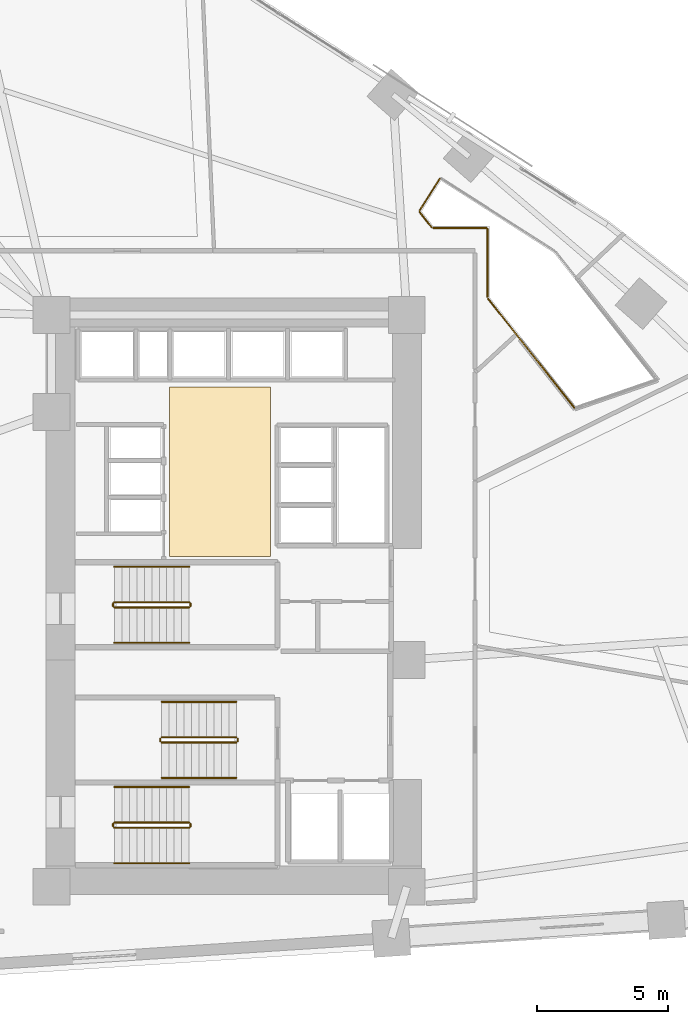
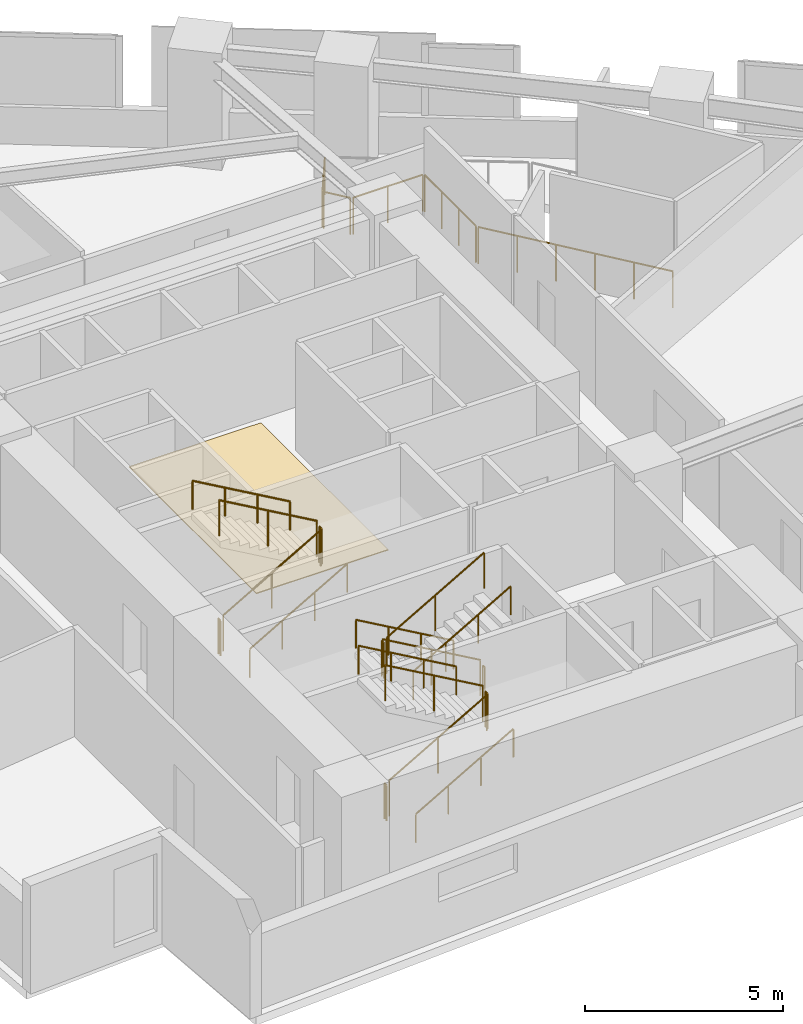
# One storey, part 14 of 15: 23 railings, 1 covering.
"""IFC4 building model written with IfcOpenShell, lengths in metres."""

from ifc_helpers import new_model, si_unit, direction, frame, origin, origin_2d, place, context, subcontext, project, spatial, polyline, circle, outline, extrude, material, layer, layer_set, type_object, element, save


model = new_model("IFC4")

# Units and contexts
model_context = context("Model", 3, precision=1e-05, world=origin(), true_north=direction((0.0, 1.0)))
body_context = subcontext(model_context, "Body", "Model", "MODEL_VIEW")
ifc_project = project(units=[si_unit("LENGTHUNIT", "METRE"), si_unit("AREAUNIT", "SQUARE_METRE"), si_unit("VOLUMEUNIT", "CUBIC_METRE"), si_unit("PLANEANGLEUNIT", "RADIAN"), si_unit("MASSUNIT", "GRAM", prefix="KILO")], contexts=[model_context])

# Site, building, storey
site_placement = place(None, origin())
site = spatial("IfcSite", under=ifc_project, at=site_placement, CompositionType="ELEMENT")
building_placement = place(site_placement, origin())
building = spatial("IfcBuilding", under=site, at=building_placement, Name="Narakoshi Arena Tower", CompositionType="ELEMENT")
storey_placement = place(building_placement, frame((0.0, 0.0, 74.10009765625)))
storey = spatial("IfcBuildingStorey", under=building, at=storey_placement, Name="L19", CompositionType="ELEMENT", Elevation=74.10009765625)

# Covering
ifc_material_1 = material(Name="Honed granite stone paving", Category="masonry")
ifc_layer = layer(ifc_material_1, 0.030029296875)
ifc_layer_set = layer_set([ifc_layer], Name="Honed granite stone paving")
covering_type = type_object("IfcCoveringType", Name="COV-FLR-ST30", PredefinedType="FLOORING", material=ifc_layer_set)
covering_placement = place(storey_placement, origin())
element("IfcCovering", 1, at=covering_placement, inside=storey, type_object=covering_type, Name="L19 Lift Lobby Granite Flooring", PredefinedType="FLOORING", context=body_context, shape_type="SweptSolid", body=[
    extrude(outline(polyline([(76.5, 47.300048828125), (80.35009765625, 47.300048828125), (80.35009765625, 53.75), (76.5, 53.75), (76.5, 47.300048828125)])), origin(), (0.0, 0.0, 1.0), 0.02978515625),
])

# Railings
ifc_material_2 = material(Name="Clear low-iron laminated structural glass", Category="glass")
railing_type_1 = type_object("IfcRailingType", Name="RL-BAL-1100", PredefinedType="BALUSTRADE", material=ifc_material_2)
railing_1_placement = place(storey_placement, frame((74.39990234375, 36.949951171875, 0.16357421875)))
element("IfcRailing", 2, at=railing_1_placement, inside=storey, type_object=railing_type_1, Name="L19 ST1 stair guard 1", PredefinedType="BALUSTRADE", context=body_context, shape_type="SweptSolid", body=[
    extrude(circle(Radius=0.02392578125, at=origin_2d()), frame((0.0, 0.0, 1.09619140625), z_axis=(0.867244780686, 0.0, 0.497882004468), x_axis=(0.0, 1.0, 0.0)), (0.0, 0.0, 1.0), 3.286376953125),
    extrude(circle(Radius=0.02099609375, at=origin_2d()), origin(), (0.0, 0.0, 1.0), 1.072021484375),
    extrude(circle(Radius=0.02099609375, at=origin_2d()), frame((1.425048828125, 0.0, 0.818115234375)), (0.0, 0.0, 1.0), 1.072021484375),
    extrude(circle(Radius=0.02099609375, at=origin_2d()), frame((2.85009765625, 0.0, 1.63623046875)), (0.0, 0.0, 1.0), 1.072021484375),
])
railing_2_placement = place(storey_placement, frame((77.300048828125, 37.0, 1.7998046875)))
element("IfcRailing", 3, at=railing_2_placement, inside=storey, type_object=railing_type_1, Name="L19 ST1 stair guard 2", PredefinedType="BALUSTRADE", context=body_context, shape_type="SweptSolid", body=[
    extrude(circle(Radius=0.02392578125, at=origin_2d()), frame((0.0, 0.0, 1.09619140625), z_axis=(0.0, 1.0, 0.0), x_axis=(-1.0, 0.0, 0.0)), (0.0, 0.0, 1.0), 0.10009765625),
    extrude(circle(Radius=0.02099609375, at=origin_2d()), origin(), (0.0, 0.0, 1.0), 1.072021484375),
    extrude(circle(Radius=0.02099609375, at=origin_2d()), frame((0.0, 0.10009765625, 0.0)), (0.0, 0.0, 1.0), 1.072021484375),
])
railing_3_placement = place(storey_placement, frame((77.25, 37.14990234375, 1.963623046875)))
element("IfcRailing", 4, at=railing_3_placement, inside=storey, type_object=railing_type_1, Name="L19 ST1 stair guard 3", PredefinedType="BALUSTRADE", context=body_context, shape_type="SweptSolid", body=[
    extrude(circle(Radius=0.02392578125, at=origin_2d()), frame((0.0, 0.0, 1.09619140625), z_axis=(-0.867244780686, 0.0, 0.497882004468), x_axis=(0.0, -1.0, 0.0)), (0.0, 0.0, 1.0), 3.286376953125),
    extrude(circle(Radius=0.02099609375, at=origin_2d()), origin(), (0.0, 0.0, 1.0), 1.072021484375),
    extrude(circle(Radius=0.02099609375, at=origin_2d()), frame((-1.425048828125, 0.0, 0.818115234375)), (0.0, 0.0, 1.0), 1.072021484375),
    extrude(circle(Radius=0.02099609375, at=origin_2d()), frame((-2.85009765625, 0.0, 1.63623046875)), (0.0, 0.0, 1.0), 1.072021484375),
])
railing_4_placement = place(storey_placement, frame((74.35009765625, 37.0, 0.0)))
element("IfcRailing", 5, at=railing_4_placement, inside=storey, type_object=railing_type_1, Name="L19 ST1 stair guard 4", PredefinedType="BALUSTRADE", context=body_context, shape_type="SweptSolid", body=[
    extrude(circle(Radius=0.02392578125, at=origin_2d()), frame((0.0, 0.0, 1.09619140625), z_axis=(0.0, 1.0, 0.0), x_axis=(-1.0, 0.0, 0.0)), (0.0, 0.0, 1.0), 0.10009765625),
    extrude(circle(Radius=0.02099609375, at=origin_2d()), origin(), (0.0, 0.0, 1.0), 1.072021484375),
    extrude(circle(Radius=0.02099609375, at=origin_2d()), frame((0.0, 0.10009765625, 0.0)), (0.0, 0.0, 1.0), 1.072021484375),
])
railing_5_placement = place(storey_placement, frame((79.050048828125, 40.39990234375, 0.16357421875)))
element("IfcRailing", 6, at=railing_5_placement, inside=storey, type_object=railing_type_1, Name="L19 ST2 stair guard 1", PredefinedType="BALUSTRADE", context=body_context, shape_type="SweptSolid", body=[
    extrude(circle(Radius=0.02392578125, at=origin_2d()), frame((0.0, 0.0, 1.09619140625), z_axis=(-0.867244780686, 0.0, 0.497882004468), x_axis=(0.0, -1.0, 0.0)), (0.0, 0.0, 1.0), 3.286376953125),
    extrude(circle(Radius=0.02099609375, at=origin_2d()), origin(), (0.0, 0.0, 1.0), 1.072021484375),
    extrude(circle(Radius=0.02099609375, at=origin_2d()), frame((-1.425048828125, 0.0, 0.818115234375)), (0.0, 0.0, 1.0), 1.072021484375),
    extrude(circle(Radius=0.02099609375, at=origin_2d()), frame((-2.85009765625, 0.0, 1.63623046875)), (0.0, 0.0, 1.0), 1.072021484375),
])
railing_6_placement = place(storey_placement, frame((76.14990234375, 40.35009765625, 1.7998046875)))
element("IfcRailing", 7, at=railing_6_placement, inside=storey, type_object=railing_type_1, Name="L19 ST2 stair guard 2", PredefinedType="BALUSTRADE", context=body_context, shape_type="SweptSolid", body=[
    extrude(circle(Radius=0.02392578125, at=origin_2d()), frame((0.0, 0.0, 1.09619140625), z_axis=(0.0, -1.0, 0.0), x_axis=(1.0, 0.0, 0.0)), (0.0, 0.0, 1.0), 0.10009765625),
    extrude(circle(Radius=0.02099609375, at=origin_2d()), origin(), (0.0, 0.0, 1.0), 1.072021484375),
    extrude(circle(Radius=0.02099609375, at=origin_2d()), frame((0.0, -0.10009765625, 0.0)), (0.0, 0.0, 1.0), 1.072021484375),
])
railing_7_placement = place(storey_placement, frame((76.199951171875, 40.199951171875, 1.963623046875)))
element("IfcRailing", 8, at=railing_7_placement, inside=storey, type_object=railing_type_1, Name="L19 ST2 stair guard 3", PredefinedType="BALUSTRADE", context=body_context, shape_type="SweptSolid", body=[
    extrude(circle(Radius=0.02392578125, at=origin_2d()), frame((0.0, 0.0, 1.09619140625), z_axis=(0.867244780686, 0.0, 0.497882004468), x_axis=(0.0, 1.0, 0.0)), (0.0, 0.0, 1.0), 3.286376953125),
    extrude(circle(Radius=0.02099609375, at=origin_2d()), origin(), (0.0, 0.0, 1.0), 1.072021484375),
    extrude(circle(Radius=0.02099609375, at=origin_2d()), frame((1.425048828125, 0.0, 0.818115234375)), (0.0, 0.0, 1.0), 1.072021484375),
    extrude(circle(Radius=0.02099609375, at=origin_2d()), frame((2.85009765625, 0.0, 1.63623046875)), (0.0, 0.0, 1.0), 1.072021484375),
])
railing_8_placement = place(storey_placement, frame((79.10009765625, 40.35009765625, 0.0)))
element("IfcRailing", 9, at=railing_8_placement, inside=storey, type_object=railing_type_1, Name="L19 ST2 stair guard 4", PredefinedType="BALUSTRADE", context=body_context, shape_type="SweptSolid", body=[
    extrude(circle(Radius=0.02392578125, at=origin_2d()), frame((0.0, 0.0, 1.09619140625), z_axis=(0.0, -1.0, 0.0), x_axis=(1.0, 0.0, 0.0)), (0.0, 0.0, 1.0), 0.10009765625),
    extrude(circle(Radius=0.02099609375, at=origin_2d()), origin(), (0.0, 0.0, 1.0), 1.072021484375),
    extrude(circle(Radius=0.02099609375, at=origin_2d()), frame((0.0, -0.10009765625, 0.0)), (0.0, 0.0, 1.0), 1.072021484375),
])
railing_9_placement = place(storey_placement, frame((74.39990234375, 45.35009765625, 0.16357421875)))
element("IfcRailing", 10, at=railing_9_placement, inside=storey, type_object=railing_type_1, Name="L19 ST3 stair guard 1", PredefinedType="BALUSTRADE", context=body_context, shape_type="SweptSolid", body=[
    extrude(circle(Radius=0.02392578125, at=origin_2d()), frame((0.0, 0.0, 1.09619140625), z_axis=(0.867244780686, 0.0, 0.497882004468), x_axis=(0.0, 1.0, 0.0)), (0.0, 0.0, 1.0), 3.286376953125),
    extrude(circle(Radius=0.02099609375, at=origin_2d()), origin(), (0.0, 0.0, 1.0), 1.072021484375),
    extrude(circle(Radius=0.02099609375, at=origin_2d()), frame((1.425048828125, 0.0, 0.818115234375)), (0.0, 0.0, 1.0), 1.072021484375),
    extrude(circle(Radius=0.02099609375, at=origin_2d()), frame((2.85009765625, 0.0, 1.63623046875)), (0.0, 0.0, 1.0), 1.072021484375),
])
railing_10_placement = place(storey_placement, frame((77.300048828125, 45.39990234375, 1.7998046875)))
element("IfcRailing", 11, at=railing_10_placement, inside=storey, type_object=railing_type_1, Name="L19 ST3 stair guard 2", PredefinedType="BALUSTRADE", context=body_context, shape_type="SweptSolid", body=[
    extrude(circle(Radius=0.02392578125, at=origin_2d()), frame((0.0, 0.0, 1.09619140625), z_axis=(0.0, 1.0, 0.0), x_axis=(-1.0, 0.0, 0.0)), (0.0, 0.0, 1.0), 0.10009765625),
    extrude(circle(Radius=0.02099609375, at=origin_2d()), origin(), (0.0, 0.0, 1.0), 1.072021484375),
    extrude(circle(Radius=0.02099609375, at=origin_2d()), frame((0.0, 0.10009765625, 0.0)), (0.0, 0.0, 1.0), 1.072021484375),
])
railing_11_placement = place(storey_placement, frame((77.25, 45.550048828125, 1.963623046875)))
element("IfcRailing", 12, at=railing_11_placement, inside=storey, type_object=railing_type_1, Name="L19 ST3 stair guard 3", PredefinedType="BALUSTRADE", context=body_context, shape_type="SweptSolid", body=[
    extrude(circle(Radius=0.02392578125, at=origin_2d()), frame((0.0, 0.0, 1.09619140625), z_axis=(-0.867244780686, 0.0, 0.497882004468), x_axis=(0.0, -1.0, 0.0)), (0.0, 0.0, 1.0), 3.286376953125),
    extrude(circle(Radius=0.02099609375, at=origin_2d()), origin(), (0.0, 0.0, 1.0), 1.072021484375),
    extrude(circle(Radius=0.02099609375, at=origin_2d()), frame((-1.425048828125, 0.0, 0.818115234375)), (0.0, 0.0, 1.0), 1.072021484375),
    extrude(circle(Radius=0.02099609375, at=origin_2d()), frame((-2.85009765625, 0.0, 1.63623046875)), (0.0, 0.0, 1.0), 1.072021484375),
])
railing_12_placement = place(storey_placement, frame((74.35009765625, 45.39990234375, 0.0)))
element("IfcRailing", 13, at=railing_12_placement, inside=storey, type_object=railing_type_1, Name="L19 ST3 stair guard 4", PredefinedType="BALUSTRADE", context=body_context, shape_type="SweptSolid", body=[
    extrude(circle(Radius=0.02392578125, at=origin_2d()), frame((0.0, 0.0, 1.09619140625), z_axis=(0.0, 1.0, 0.0), x_axis=(-1.0, 0.0, 0.0)), (0.0, 0.0, 1.0), 0.10009765625),
    extrude(circle(Radius=0.02099609375, at=origin_2d()), origin(), (0.0, 0.0, 1.0), 1.072021484375),
    extrude(circle(Radius=0.02099609375, at=origin_2d()), frame((0.0, 0.10009765625, 0.0)), (0.0, 0.0, 1.0), 1.072021484375),
])
ifc_material_3 = material(Name="Brushed bronze stainless steel", Category="steel")
railing_type_2 = type_object("IfcRailingType", Name="RL-GRD-1150", PredefinedType="GUARDRAIL", material=ifc_material_3)
railing_13_placement = place(storey_placement, frame((91.93212890625, 52.966064453125, 0.0)))
element("IfcRailing", 14, at=railing_13_placement, inside=storey, type_object=railing_type_2, Name="L19 Sky-Garden Atrium Void Guardrail 1", PredefinedType="GUARDRAIL", context=body_context, shape_type="SweptSolid", body=[
    extrude(circle(Radius=0.02392578125, at=origin_2d()), frame((0.0, 0.0, 1.1259765625), z_axis=(-0.620443259302, 0.784251338531, 0.0), x_axis=(-0.784251338531, -0.620443259302, 0.0)), (0.0, 0.0, 1.0), 5.29833984375),
    extrude(circle(Radius=0.02099609375, at=origin_2d()), origin(), (0.0, 0.0, 1.0), 1.101806640625),
    extrude(circle(Radius=0.02099609375, at=origin_2d()), frame((-0.657470703125, 0.8310546875, 0.0)), (0.0, 0.0, 1.0), 1.101806640625),
    extrude(circle(Radius=0.02099609375, at=origin_2d()), frame((-1.31494140625, 1.662109375, 0.0)), (0.0, 0.0, 1.0), 1.101806640625),
    extrude(circle(Radius=0.02099609375, at=origin_2d()), frame((-1.972412109375, 2.4931640625, 0.0)), (0.0, 0.0, 1.0), 1.101806640625),
    extrude(circle(Radius=0.02099609375, at=origin_2d()), frame((-2.6298828125, 3.32421875, 0.0)), (0.0, 0.0, 1.0), 1.101806640625),
    extrude(circle(Radius=0.02099609375, at=origin_2d()), frame((-3.287353515625, 4.1552734375, 0.0)), (0.0, 0.0, 1.0), 1.101806640625),
])
railing_14_placement = place(storey_placement, frame((88.6201171875, 57.19287109375, 0.0)))
element("IfcRailing", 15, at=railing_14_placement, inside=storey, type_object=railing_type_2, Name="L19 Sky-Garden Atrium Void Guardrail 2", PredefinedType="GUARDRAIL", context=body_context, shape_type="SweptSolid", body=[
    extrude(circle(Radius=0.02392578125, at=origin_2d()), frame((0.0, 0.0, 1.1259765625), z_axis=(0.0, 1.0, 0.0), x_axis=(-1.0, 0.0, 0.0)), (0.0, 0.0, 1.0), 2.587158203125),
    extrude(circle(Radius=0.02099609375, at=origin_2d()), origin(), (0.0, 0.0, 1.0), 1.101806640625),
    extrude(circle(Radius=0.02099609375, at=origin_2d()), frame((0.0, 0.8623046875, 0.0)), (0.0, 0.0, 1.0), 1.101806640625),
    extrude(circle(Radius=0.02099609375, at=origin_2d()), frame((0.0, 1.724853515625, 0.0)), (0.0, 0.0, 1.0), 1.101806640625),
    extrude(circle(Radius=0.02099609375, at=origin_2d()), frame((0.0, 2.587158203125, 0.0)), (0.0, 0.0, 1.0), 1.101806640625),
])
railing_15_placement = place(storey_placement, frame((88.580078125, 59.820068359375, 0.0)))
element("IfcRailing", 16, at=railing_15_placement, inside=storey, type_object=railing_type_2, Name="L19 Sky-Garden Atrium Void Guardrail 3", PredefinedType="GUARDRAIL", context=body_context, shape_type="SweptSolid", body=[
    extrude(circle(Radius=0.02392578125, at=origin_2d()), frame((0.0, 0.0, 1.1259765625), z_axis=(-1.0, 0.0, 0.0), x_axis=(0.0, -1.0, 0.0)), (0.0, 0.0, 1.0), 2.030029296875),
    extrude(circle(Radius=0.02099609375, at=origin_2d()), origin(), (0.0, 0.0, 1.0), 1.101806640625),
    extrude(circle(Radius=0.02099609375, at=origin_2d()), frame((-1.01513671875, 0.0, 0.0)), (0.0, 0.0, 1.0), 1.101806640625),
    extrude(circle(Radius=0.02099609375, at=origin_2d()), frame((-2.030029296875, 0.0, 0.0)), (0.0, 0.0, 1.0), 1.101806640625),
])
railing_16_placement = place(storey_placement, frame((86.4853515625, 59.851318359375, 0.0)))
element("IfcRailing", 17, at=railing_16_placement, inside=storey, type_object=railing_type_2, Name="L19 Sky-Garden Atrium Void Guardrail 4", PredefinedType="GUARDRAIL", context=body_context, shape_type="SweptSolid", body=[
    extrude(circle(Radius=0.02392578125, at=origin_2d()), frame((0.0, 0.0, 1.1259765625), z_axis=(-0.620502843677, 0.784204195977, 0.0), x_axis=(-0.784204195977, -0.620502843677, 0.0)), (0.0, 0.0, 1.0), 0.71875),
    extrude(circle(Radius=0.02099609375, at=origin_2d()), origin(), (0.0, 0.0, 1.0), 1.101806640625),
    extrude(circle(Radius=0.02099609375, at=origin_2d()), frame((-0.446044921875, 0.563720703125, 0.0)), (0.0, 0.0, 1.0), 1.101806640625),
])
railing_17_placement = place(storey_placement, frame((86.035888671875, 60.480224609375, 0.0)))
element("IfcRailing", 18, at=railing_17_placement, inside=storey, type_object=railing_type_2, Name="L19 Sky-Garden Atrium Void Guardrail 5", PredefinedType="GUARDRAIL", context=body_context, shape_type="SweptSolid", body=[
    extrude(circle(Radius=0.02392578125, at=origin_2d()), frame((0.0, 0.0, 1.1259765625), z_axis=(0.535757095837, 0.844372153887, 0.0), x_axis=(-0.844372153887, 0.535757095837, 0.0)), (0.0, 0.0, 1.0), 1.44140625),
    extrude(circle(Radius=0.02099609375, at=origin_2d()), origin(), (0.0, 0.0, 1.0), 1.101806640625),
    extrude(circle(Radius=0.02099609375, at=origin_2d()), frame((0.38623046875, 0.6083984375, 0.0)), (0.0, 0.0, 1.0), 1.101806640625),
    extrude(circle(Radius=0.02099609375, at=origin_2d()), frame((0.772216796875, 1.217041015625, 0.0)), (0.0, 0.0, 1.0), 1.101806640625),
])
railing_type_3 = type_object("IfcRailingType", Name="RL-HND-900", PredefinedType="HANDRAIL", material=ifc_material_3)
railing_18_placement = place(storey_placement, frame((74.39990234375, 35.60009765625, 0.16357421875)))
element("IfcRailing", 19, at=railing_18_placement, inside=storey, type_object=railing_type_3, Name="L19 ST1 stair handrail 1", PredefinedType="HANDRAIL", context=body_context, shape_type="SweptSolid", body=[
    extrude(circle(Radius=0.02392578125, at=origin_2d()), frame((0.0, 0.0, 0.8759765625), z_axis=(0.867244780686, 0.0, 0.497882004468), x_axis=(0.0, 1.0, 0.0)), (0.0, 0.0, 1.0), 3.286376953125),
    extrude(circle(Radius=0.02099609375, at=origin_2d()), origin(), (0.0, 0.0, 1.0), 0.851806640625),
    extrude(circle(Radius=0.02099609375, at=origin_2d()), frame((0.949951171875, 0.0, 0.54541015625)), (0.0, 0.0, 1.0), 0.851806640625),
    extrude(circle(Radius=0.02099609375, at=origin_2d()), frame((1.900146484375, 0.0, 1.0908203125)), (0.0, 0.0, 1.0), 0.851806640625),
    extrude(circle(Radius=0.02099609375, at=origin_2d()), frame((2.85009765625, 0.0, 1.63623046875)), (0.0, 0.0, 1.0), 0.851806640625),
])
for number, where, name in (
    (20, (77.25, 38.5, 1.963623046875), "L19 ST1 stair handrail 2"),
    (21, (79.050048828125, 41.75, 0.16357421875), "L19 ST2 stair handrail 1"),
):
    element("IfcRailing", number, at=place(storey_placement, frame(where)), inside=storey, type_object=railing_type_3, Name=name, PredefinedType="HANDRAIL", context=body_context, shape_type="SweptSolid", body=[
        extrude(circle(Radius=0.02392578125, at=origin_2d()), frame((0.0, 0.0, 0.8759765625), z_axis=(-0.867244780686, 0.0, 0.497882004468), x_axis=(0.0, -1.0, 0.0)), (0.0, 0.0, 1.0), 3.286376953125),
        extrude(circle(Radius=0.02099609375, at=origin_2d()), origin(), (0.0, 0.0, 1.0), 0.851806640625),
        extrude(circle(Radius=0.02099609375, at=origin_2d()), frame((-0.949951171875, 0.0, 0.54541015625)), (0.0, 0.0, 1.0), 0.851806640625),
        extrude(circle(Radius=0.02099609375, at=origin_2d()), frame((-1.900146484375, 0.0, 1.0908203125)), (0.0, 0.0, 1.0), 0.851806640625),
        extrude(circle(Radius=0.02099609375, at=origin_2d()), frame((-2.85009765625, 0.0, 1.63623046875)), (0.0, 0.0, 1.0), 0.851806640625),
    ])
for number, where, name in (
    (22, (76.199951171875, 38.85009765625, 1.963623046875), "L19 ST2 stair handrail 2"),
    (23, (74.39990234375, 44.0, 0.16357421875), "L19 ST3 stair handrail 1"),
):
    element("IfcRailing", number, at=place(storey_placement, frame(where)), inside=storey, type_object=railing_type_3, Name=name, PredefinedType="HANDRAIL", context=body_context, shape_type="SweptSolid", body=[
        extrude(circle(Radius=0.02392578125, at=origin_2d()), frame((0.0, 0.0, 0.8759765625), z_axis=(0.867244780686, 0.0, 0.497882004468), x_axis=(0.0, 1.0, 0.0)), (0.0, 0.0, 1.0), 3.286376953125),
        extrude(circle(Radius=0.02099609375, at=origin_2d()), origin(), (0.0, 0.0, 1.0), 0.851806640625),
        extrude(circle(Radius=0.02099609375, at=origin_2d()), frame((0.949951171875, 0.0, 0.54541015625)), (0.0, 0.0, 1.0), 0.851806640625),
        extrude(circle(Radius=0.02099609375, at=origin_2d()), frame((1.900146484375, 0.0, 1.0908203125)), (0.0, 0.0, 1.0), 0.851806640625),
        extrude(circle(Radius=0.02099609375, at=origin_2d()), frame((2.85009765625, 0.0, 1.63623046875)), (0.0, 0.0, 1.0), 0.851806640625),
    ])
railing_19_placement = place(storey_placement, frame((77.25, 46.89990234375, 1.963623046875)))
element("IfcRailing", 24, at=railing_19_placement, inside=storey, type_object=railing_type_3, Name="L19 ST3 stair handrail 2", PredefinedType="HANDRAIL", context=body_context, shape_type="SweptSolid", body=[
    extrude(circle(Radius=0.02392578125, at=origin_2d()), frame((0.0, 0.0, 0.8759765625), z_axis=(-0.867244780686, 0.0, 0.497882004468), x_axis=(0.0, -1.0, 0.0)), (0.0, 0.0, 1.0), 3.286376953125),
    extrude(circle(Radius=0.02099609375, at=origin_2d()), origin(), (0.0, 0.0, 1.0), 0.851806640625),
    extrude(circle(Radius=0.02099609375, at=origin_2d()), frame((-0.949951171875, 0.0, 0.54541015625)), (0.0, 0.0, 1.0), 0.851806640625),
    extrude(circle(Radius=0.02099609375, at=origin_2d()), frame((-1.900146484375, 0.0, 1.0908203125)), (0.0, 0.0, 1.0), 0.851806640625),
    extrude(circle(Radius=0.02099609375, at=origin_2d()), frame((-2.85009765625, 0.0, 1.63623046875)), (0.0, 0.0, 1.0), 0.851806640625),
])

save(model, "model.ifc")
